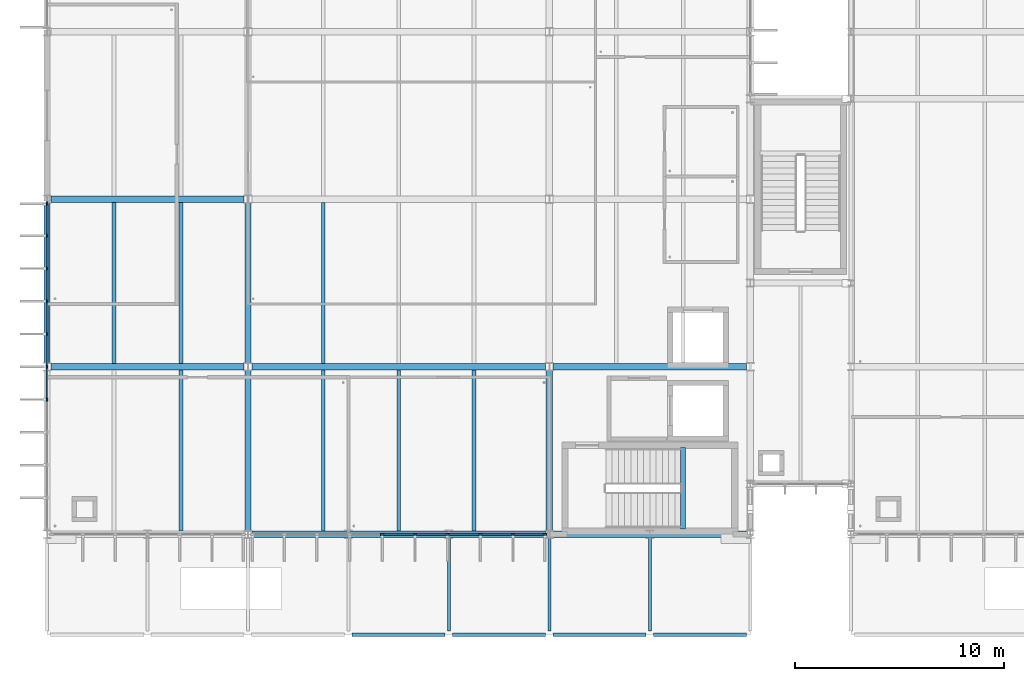
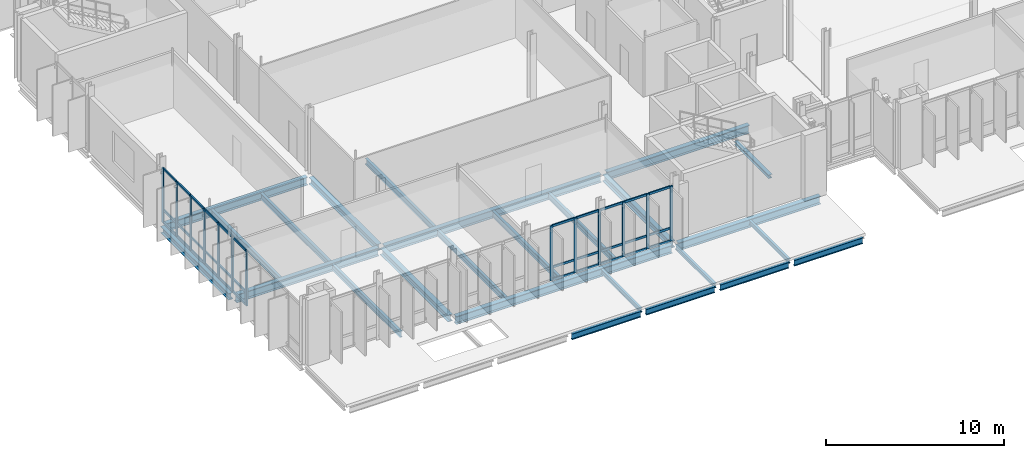
# One storey, part 17 of 107: 46 members, 25 beams, 2 elements without a shape of their own.
"""IFC4 building model written with IfcOpenShell, lengths in metres."""

from ifc_helpers import new_model, si_unit, direction, frame, origin, origin_2d, place, context, subcontext, project, spatial, rectangle, i_section, extrude, material, material_profile, profile_set, type_object, element, aggregate, save


model = new_model("IFC4")

# Units and contexts
model_context = context("Model", 3, precision=1e-05, world=origin(), true_north=direction((0.0, 1.0)))
body_context = subcontext(model_context, "Body", "Model", "MODEL_VIEW")
ifc_project = project(units=[si_unit("LENGTHUNIT", "METRE"), si_unit("AREAUNIT", "SQUARE_METRE"), si_unit("VOLUMEUNIT", "CUBIC_METRE"), si_unit("PLANEANGLEUNIT", "RADIAN"), si_unit("MASSUNIT", "GRAM", prefix="KILO")], contexts=[model_context])

# Site, building, storey
site_placement = place(None, origin())
site = spatial("IfcSite", under=ifc_project, at=site_placement, CompositionType="ELEMENT")
building_placement = place(site_placement, origin())
building = spatial("IfcBuilding", under=site, at=building_placement, Name="Dunescarp Central Library", CompositionType="ELEMENT")
storey_placement = place(building_placement, frame((0.0, 0.0, 5.10009765625)))
storey = spatial("IfcBuildingStorey", under=building, at=storey_placement, Name="L01", CompositionType="ELEMENT", Elevation=5.10009765625)

# Curtain wall, members
ifc_material_1 = material(Name="Marine-grade anodised aluminium 6063-T6", Category="aluminium")
curtain_wall_type = type_object("IfcCurtainWallType", Name="ARC-CW-STICK", PredefinedType="NOTDEFINED", material=ifc_material_1)
curtain_wall_1_placement = place(storey_placement, origin())
curtain_wall_1 = element("IfcCurtainWall", 1, at=curtain_wall_1_placement, inside=storey, type_object=curtain_wall_type, Name="L01 curtain wall CW-V1-007", PredefinedType="NOTDEFINED")
ifc_material_profile_1 = material_profile(ifc_material_1, rectangle(XDim=0.080078125, YDim=0.179931640625, at=origin_2d()), Name="AL 80x180")
ifc_profile_set_1 = profile_set([ifc_material_profile_1], Name="Marine-grade anodised aluminium 6063-T6")
member_type_1 = type_object("IfcMemberType", Name="ARC-CWM-180", PredefinedType="MULLION", material=ifc_profile_set_1)
member_1_placement = place(storey_placement, frame((23.784912109375, 4.800048828125, 0.0), z_axis=(0.0, 0.0, 1.0), x_axis=(0.0, -1.0, 0.0)))
member_1 = element("IfcMember", 2, at=member_1_placement, type_object=member_type_1, Name="CW-V1-007 mullion 1", PredefinedType="MULLION", context=body_context, shape_type="SweptSolid", body=[
    extrude(rectangle(XDim=0.080078125, YDim=0.179931640625, at=origin_2d()), origin(), (0.0, 0.0, 1.0), 3.764892578125),
])
member_2_placement = place(storey_placement, frame((22.263916015625, 4.800048828125, 0.0), z_axis=(0.0, 0.0, 1.0), x_axis=(0.0, -1.0, 0.0)))
member_2 = element("IfcMember", 3, at=member_2_placement, type_object=member_type_1, Name="CW-V1-007 mullion 2", PredefinedType="MULLION", context=body_context, shape_type="SweptSolid", body=[
    extrude(rectangle(XDim=0.080078125, YDim=0.179931640625, at=origin_2d()), origin(), (0.0, 0.0, 1.0), 3.764892578125),
])
member_3_placement = place(storey_placement, frame((20.702880859375, 4.800048828125, 0.0), z_axis=(0.0, 0.0, 1.0), x_axis=(0.0, -1.0, 0.0)))
member_3 = element("IfcMember", 4, at=member_3_placement, type_object=member_type_1, Name="CW-V1-007 mullion 3", PredefinedType="MULLION", context=body_context, shape_type="SweptSolid", body=[
    extrude(rectangle(XDim=0.080078125, YDim=0.179931640625, at=origin_2d()), origin(), (0.0, 0.0, 1.0), 3.764892578125),
])
member_4_placement = place(storey_placement, frame((19.1416015625, 4.800048828125, 0.0), z_axis=(0.0, 0.0, 1.0), x_axis=(0.0, -1.0, 0.0)))
member_4 = element("IfcMember", 5, at=member_4_placement, type_object=member_type_1, Name="CW-V1-007 mullion 4", PredefinedType="MULLION", context=body_context, shape_type="SweptSolid", body=[
    extrude(rectangle(XDim=0.080078125, YDim=0.179931640625, at=origin_2d()), origin(), (0.0, 0.0, 1.0), 3.764892578125),
])
member_5_placement = place(storey_placement, frame((17.58056640625, 4.800048828125, 0.0), z_axis=(0.0, 0.0, 1.0), x_axis=(0.0, -1.0, 0.0)))
member_5 = element("IfcMember", 6, at=member_5_placement, type_object=member_type_1, Name="CW-V1-007 mullion 5", PredefinedType="MULLION", context=body_context, shape_type="SweptSolid", body=[
    extrude(rectangle(XDim=0.080078125, YDim=0.179931640625, at=origin_2d()), origin(), (0.0, 0.0, 1.0), 3.764892578125),
])
member_6_placement = place(storey_placement, frame((16.01953125, 4.800048828125, 0.0), z_axis=(0.0, 0.0, 1.0), x_axis=(0.0, -1.0, 0.0)))
member_6 = element("IfcMember", 7, at=member_6_placement, type_object=member_type_1, Name="CW-V1-007 mullion 6", PredefinedType="MULLION", context=body_context, shape_type="SweptSolid", body=[
    extrude(rectangle(XDim=0.080078125, YDim=0.179931640625, at=origin_2d()), origin(), (0.0, 0.0, 1.0), 3.764892578125),
])

curtain_wall_2_placement = place(storey_placement, origin())
curtain_wall_2 = element("IfcCurtainWall", 8, at=curtain_wall_2_placement, inside=storey, type_object=curtain_wall_type, Name="L01 curtain wall CW-V1-009", PredefinedType="NOTDEFINED")
member_7_placement = place(storey_placement, frame((0.0, 11.235107421875, 0.0), z_axis=(0.0, 0.0, 1.0), x_axis=(-1.0, 0.0, 0.0)))
member_7 = element("IfcMember", 9, at=member_7_placement, type_object=member_type_1, Name="CW-V1-009 mullion 5", PredefinedType="MULLION", context=body_context, shape_type="SweptSolid", body=[
    extrude(rectangle(XDim=0.080078125, YDim=0.179931640625, at=origin_2d()), origin(), (0.0, 0.0, 1.0), 3.764892578125),
])
member_8_placement = place(storey_placement, frame((0.0, 12.800048828125, 0.0), z_axis=(0.0, 0.0, 1.0), x_axis=(-1.0, 0.0, 0.0)))
member_8 = element("IfcMember", 10, at=member_8_placement, type_object=member_type_1, Name="CW-V1-009 mullion 6", PredefinedType="MULLION", context=body_context, shape_type="SweptSolid", body=[
    extrude(rectangle(XDim=0.080078125, YDim=0.179931640625, at=origin_2d()), origin(), (0.0, 0.0, 1.0), 3.764892578125),
])
member_9_placement = place(storey_placement, frame((0.0, 14.364990234375, 0.0), z_axis=(0.0, 0.0, 1.0), x_axis=(-1.0, 0.0, 0.0)))
member_9 = element("IfcMember", 11, at=member_9_placement, type_object=member_type_1, Name="CW-V1-009 mullion 7", PredefinedType="MULLION", context=body_context, shape_type="SweptSolid", body=[
    extrude(rectangle(XDim=0.080078125, YDim=0.179931640625, at=origin_2d()), origin(), (0.0, 0.0, 1.0), 3.764892578125),
])
member_10_placement = place(storey_placement, frame((0.0, 15.929931640625, 0.0), z_axis=(0.0, 0.0, 1.0), x_axis=(-1.0, 0.0, 0.0)))
member_10 = element("IfcMember", 12, at=member_10_placement, type_object=member_type_1, Name="CW-V1-009 mullion 8", PredefinedType="MULLION", context=body_context, shape_type="SweptSolid", body=[
    extrude(rectangle(XDim=0.080078125, YDim=0.179931640625, at=origin_2d()), origin(), (0.0, 0.0, 1.0), 3.764892578125),
])
member_11_placement = place(storey_placement, frame((0.0, 17.4951171875, 0.0), z_axis=(0.0, 0.0, 1.0), x_axis=(-1.0, 0.0, 0.0)))
member_11 = element("IfcMember", 13, at=member_11_placement, type_object=member_type_1, Name="CW-V1-009 mullion 9", PredefinedType="MULLION", context=body_context, shape_type="SweptSolid", body=[
    extrude(rectangle(XDim=0.080078125, YDim=0.179931640625, at=origin_2d()), origin(), (0.0, 0.0, 1.0), 3.764892578125),
])
member_12_placement = place(storey_placement, frame((0.0, 19.06005859375, 0.0), z_axis=(0.0, 0.0, 1.0), x_axis=(-1.0, 0.0, 0.0)))
member_12 = element("IfcMember", 14, at=member_12_placement, type_object=member_type_1, Name="CW-V1-009 mullion 10", PredefinedType="MULLION", context=body_context, shape_type="SweptSolid", body=[
    extrude(rectangle(XDim=0.080078125, YDim=0.179931640625, at=origin_2d()), origin(), (0.0, 0.0, 1.0), 3.764892578125),
])
member_13_placement = place(storey_placement, frame((0.0, 20.5849609375, 0.0), z_axis=(0.0, 0.0, 1.0), x_axis=(-1.0, 0.0, 0.0)))
member_13 = element("IfcMember", 15, at=member_13_placement, type_object=member_type_1, Name="CW-V1-009 mullion 11", PredefinedType="MULLION", context=body_context, shape_type="SweptSolid", body=[
    extrude(rectangle(XDim=0.080078125, YDim=0.179931640625, at=origin_2d()), origin(), (0.0, 0.0, 1.0), 3.764892578125),
])

# Member
ifc_material_profile_2 = material_profile(ifc_material_1, rectangle(XDim=0.080078125, YDim=0.14990234375, at=origin_2d()), Name="AL 80x150")
ifc_profile_set_2 = profile_set([ifc_material_profile_2], Name="Marine-grade anodised aluminium 6063-T6")
member_type_2 = type_object("IfcMemberType", Name="ARC-CWT-150", PredefinedType="USERDEFINED", material=ifc_profile_set_2)
member_14_placement = place(storey_placement, frame((23.7451171875, 4.800048828125, 0.039794921875), z_axis=(-1.0, 0.0, 0.0), x_axis=(0.0, -1.0, 0.0)))
member_14 = element("IfcMember", 16, at=member_14_placement, type_object=member_type_2, Name="CW-V1-007 transom 1.1", ObjectType="TRANSOM", PredefinedType="USERDEFINED", context=body_context, shape_type="SweptSolid", body=[
    extrude(rectangle(XDim=0.080078125, YDim=0.14990234375, at=origin_2d()), origin(), (0.0, 0.0, 1.0), 1.441162109375),
])

member_15_placement = place(storey_placement, frame((23.7451171875, 4.800048828125, 0.89990234375), z_axis=(-1.0, 0.0, 0.0), x_axis=(0.0, -1.0, 0.0)))
member_15 = element("IfcMember", 17, at=member_15_placement, type_object=member_type_2, Name="CW-V1-007 transom 1.2", ObjectType="TRANSOM", PredefinedType="USERDEFINED", context=body_context, shape_type="SweptSolid", body=[
    extrude(rectangle(XDim=0.080078125, YDim=0.14990234375, at=origin_2d()), origin(), (0.0, 0.0, 1.0), 1.441162109375),
])

member_16_placement = place(storey_placement, frame((23.7451171875, 4.800048828125, 3.724853515625), z_axis=(-1.0, 0.0, 0.0), x_axis=(0.0, -1.0, 0.0)))
member_16 = element("IfcMember", 18, at=member_16_placement, type_object=member_type_2, Name="CW-V1-007 transom 1.3", ObjectType="TRANSOM", PredefinedType="USERDEFINED", context=body_context, shape_type="SweptSolid", body=[
    extrude(rectangle(XDim=0.080078125, YDim=0.14990234375, at=origin_2d()), origin(), (0.0, 0.0, 1.0), 1.441162109375),
])

member_17_placement = place(storey_placement, frame((22.223876953125, 4.800048828125, 0.039794921875), z_axis=(-1.0, 0.0, 0.0), x_axis=(0.0, -1.0, 0.0)))
member_17 = element("IfcMember", 19, at=member_17_placement, type_object=member_type_2, Name="CW-V1-007 transom 2.1", ObjectType="TRANSOM", PredefinedType="USERDEFINED", context=body_context, shape_type="SweptSolid", body=[
    extrude(rectangle(XDim=0.080078125, YDim=0.14990234375, at=origin_2d()), origin(), (0.0, 0.0, 1.0), 1.481201171875),
])

member_18_placement = place(storey_placement, frame((22.223876953125, 4.800048828125, 0.89990234375), z_axis=(-1.0, 0.0, 0.0), x_axis=(0.0, -1.0, 0.0)))
member_18 = element("IfcMember", 20, at=member_18_placement, type_object=member_type_2, Name="CW-V1-007 transom 2.2", ObjectType="TRANSOM", PredefinedType="USERDEFINED", context=body_context, shape_type="SweptSolid", body=[
    extrude(rectangle(XDim=0.080078125, YDim=0.14990234375, at=origin_2d()), origin(), (0.0, 0.0, 1.0), 1.481201171875),
])

member_19_placement = place(storey_placement, frame((22.223876953125, 4.800048828125, 3.724853515625), z_axis=(-1.0, 0.0, 0.0), x_axis=(0.0, -1.0, 0.0)))
member_19 = element("IfcMember", 21, at=member_19_placement, type_object=member_type_2, Name="CW-V1-007 transom 2.3", ObjectType="TRANSOM", PredefinedType="USERDEFINED", context=body_context, shape_type="SweptSolid", body=[
    extrude(rectangle(XDim=0.080078125, YDim=0.14990234375, at=origin_2d()), origin(), (0.0, 0.0, 1.0), 1.481201171875),
])

member_20_placement = place(storey_placement, frame((20.662841796875, 4.800048828125, 0.039794921875), z_axis=(-1.0, 0.0, 0.0), x_axis=(0.0, -1.0, 0.0)))
member_20 = element("IfcMember", 22, at=member_20_placement, type_object=member_type_2, Name="CW-V1-007 transom 3.1", ObjectType="TRANSOM", PredefinedType="USERDEFINED", context=body_context, shape_type="SweptSolid", body=[
    extrude(rectangle(XDim=0.080078125, YDim=0.14990234375, at=origin_2d()), origin(), (0.0, 0.0, 1.0), 1.481201171875),
])

member_21_placement = place(storey_placement, frame((20.662841796875, 4.800048828125, 0.89990234375), z_axis=(-1.0, 0.0, 0.0), x_axis=(0.0, -1.0, 0.0)))
member_21 = element("IfcMember", 23, at=member_21_placement, type_object=member_type_2, Name="CW-V1-007 transom 3.2", ObjectType="TRANSOM", PredefinedType="USERDEFINED", context=body_context, shape_type="SweptSolid", body=[
    extrude(rectangle(XDim=0.080078125, YDim=0.14990234375, at=origin_2d()), origin(), (0.0, 0.0, 1.0), 1.481201171875),
])

member_22_placement = place(storey_placement, frame((20.662841796875, 4.800048828125, 3.724853515625), z_axis=(-1.0, 0.0, 0.0), x_axis=(0.0, -1.0, 0.0)))
member_22 = element("IfcMember", 24, at=member_22_placement, type_object=member_type_2, Name="CW-V1-007 transom 3.3", ObjectType="TRANSOM", PredefinedType="USERDEFINED", context=body_context, shape_type="SweptSolid", body=[
    extrude(rectangle(XDim=0.080078125, YDim=0.14990234375, at=origin_2d()), origin(), (0.0, 0.0, 1.0), 1.481201171875),
])

member_23_placement = place(storey_placement, frame((19.1015625, 4.800048828125, 0.039794921875), z_axis=(-1.0, 0.0, 0.0), x_axis=(0.0, -1.0, 0.0)))
member_23 = element("IfcMember", 25, at=member_23_placement, type_object=member_type_2, Name="CW-V1-007 transom 4.1", ObjectType="TRANSOM", PredefinedType="USERDEFINED", context=body_context, shape_type="SweptSolid", body=[
    extrude(rectangle(XDim=0.080078125, YDim=0.14990234375, at=origin_2d()), origin(), (0.0, 0.0, 1.0), 1.48095703125),
])

member_24_placement = place(storey_placement, frame((19.1015625, 4.800048828125, 0.89990234375), z_axis=(-1.0, 0.0, 0.0), x_axis=(0.0, -1.0, 0.0)))
member_24 = element("IfcMember", 26, at=member_24_placement, type_object=member_type_2, Name="CW-V1-007 transom 4.2", ObjectType="TRANSOM", PredefinedType="USERDEFINED", context=body_context, shape_type="SweptSolid", body=[
    extrude(rectangle(XDim=0.080078125, YDim=0.14990234375, at=origin_2d()), origin(), (0.0, 0.0, 1.0), 1.48095703125),
])

member_25_placement = place(storey_placement, frame((19.1015625, 4.800048828125, 3.724853515625), z_axis=(-1.0, 0.0, 0.0), x_axis=(0.0, -1.0, 0.0)))
member_25 = element("IfcMember", 27, at=member_25_placement, type_object=member_type_2, Name="CW-V1-007 transom 4.3", ObjectType="TRANSOM", PredefinedType="USERDEFINED", context=body_context, shape_type="SweptSolid", body=[
    extrude(rectangle(XDim=0.080078125, YDim=0.14990234375, at=origin_2d()), origin(), (0.0, 0.0, 1.0), 1.48095703125),
])

member_26_placement = place(storey_placement, frame((17.54052734375, 4.800048828125, 0.039794921875), z_axis=(-1.0, 0.0, 0.0), x_axis=(0.0, -1.0, 0.0)))
member_26 = element("IfcMember", 28, at=member_26_placement, type_object=member_type_2, Name="CW-V1-007 transom 5.1", ObjectType="TRANSOM", PredefinedType="USERDEFINED", context=body_context, shape_type="SweptSolid", body=[
    extrude(rectangle(XDim=0.080078125, YDim=0.14990234375, at=origin_2d()), origin(), (0.0, 0.0, 1.0), 1.481201171875),
])

member_27_placement = place(storey_placement, frame((17.54052734375, 4.800048828125, 0.89990234375), z_axis=(-1.0, 0.0, 0.0), x_axis=(0.0, -1.0, 0.0)))
member_27 = element("IfcMember", 29, at=member_27_placement, type_object=member_type_2, Name="CW-V1-007 transom 5.2", ObjectType="TRANSOM", PredefinedType="USERDEFINED", context=body_context, shape_type="SweptSolid", body=[
    extrude(rectangle(XDim=0.080078125, YDim=0.14990234375, at=origin_2d()), origin(), (0.0, 0.0, 1.0), 1.481201171875),
])

member_28_placement = place(storey_placement, frame((17.54052734375, 4.800048828125, 3.724853515625), z_axis=(-1.0, 0.0, 0.0), x_axis=(0.0, -1.0, 0.0)))
member_28 = element("IfcMember", 30, at=member_28_placement, type_object=member_type_2, Name="CW-V1-007 transom 5.3", ObjectType="TRANSOM", PredefinedType="USERDEFINED", context=body_context, shape_type="SweptSolid", body=[
    extrude(rectangle(XDim=0.080078125, YDim=0.14990234375, at=origin_2d()), origin(), (0.0, 0.0, 1.0), 1.481201171875),
])

aggregate(curtain_wall_1, [member_1, member_2, member_3, member_4, member_5, member_6, member_14, member_15, member_16, member_17, member_18, member_19, member_20, member_21, member_22, member_23, member_24, member_25, member_26, member_27, member_28])

member_29_placement = place(storey_placement, frame((0.0, 11.27490234375, 0.039794921875), z_axis=(0.0, 1.0, 0.0), x_axis=(-1.0, 0.0, 0.0)))
member_29 = element("IfcMember", 31, at=member_29_placement, type_object=member_type_2, Name="CW-V1-009 transom 5.1", ObjectType="TRANSOM", PredefinedType="USERDEFINED", context=body_context, shape_type="SweptSolid", body=[
    extrude(rectangle(XDim=0.080078125, YDim=0.14990234375, at=origin_2d()), origin(), (0.0, 0.0, 1.0), 1.485107421875),
])

member_30_placement = place(storey_placement, frame((0.0, 11.27490234375, 0.89990234375), z_axis=(0.0, 1.0, 0.0), x_axis=(-1.0, 0.0, 0.0)))
member_30 = element("IfcMember", 32, at=member_30_placement, type_object=member_type_2, Name="CW-V1-009 transom 5.2", ObjectType="TRANSOM", PredefinedType="USERDEFINED", context=body_context, shape_type="SweptSolid", body=[
    extrude(rectangle(XDim=0.080078125, YDim=0.14990234375, at=origin_2d()), origin(), (0.0, 0.0, 1.0), 1.485107421875),
])

member_31_placement = place(storey_placement, frame((0.0, 11.27490234375, 3.724853515625), z_axis=(0.0, 1.0, 0.0), x_axis=(-1.0, 0.0, 0.0)))
member_31 = element("IfcMember", 33, at=member_31_placement, type_object=member_type_2, Name="CW-V1-009 transom 5.3", ObjectType="TRANSOM", PredefinedType="USERDEFINED", context=body_context, shape_type="SweptSolid", body=[
    extrude(rectangle(XDim=0.080078125, YDim=0.14990234375, at=origin_2d()), origin(), (0.0, 0.0, 1.0), 1.485107421875),
])

member_32_placement = place(storey_placement, frame((0.0, 12.840087890625, 0.039794921875), z_axis=(0.0, 1.0, 0.0), x_axis=(-1.0, 0.0, 0.0)))
member_32 = element("IfcMember", 34, at=member_32_placement, type_object=member_type_2, Name="CW-V1-009 transom 6.1", ObjectType="TRANSOM", PredefinedType="USERDEFINED", context=body_context, shape_type="SweptSolid", body=[
    extrude(rectangle(XDim=0.080078125, YDim=0.14990234375, at=origin_2d()), origin(), (0.0, 0.0, 1.0), 1.48486328125),
])

member_33_placement = place(storey_placement, frame((0.0, 12.840087890625, 0.89990234375), z_axis=(0.0, 1.0, 0.0), x_axis=(-1.0, 0.0, 0.0)))
member_33 = element("IfcMember", 35, at=member_33_placement, type_object=member_type_2, Name="CW-V1-009 transom 6.2", ObjectType="TRANSOM", PredefinedType="USERDEFINED", context=body_context, shape_type="SweptSolid", body=[
    extrude(rectangle(XDim=0.080078125, YDim=0.14990234375, at=origin_2d()), origin(), (0.0, 0.0, 1.0), 1.48486328125),
])

member_34_placement = place(storey_placement, frame((0.0, 12.840087890625, 3.724853515625), z_axis=(0.0, 1.0, 0.0), x_axis=(-1.0, 0.0, 0.0)))
member_34 = element("IfcMember", 36, at=member_34_placement, type_object=member_type_2, Name="CW-V1-009 transom 6.3", ObjectType="TRANSOM", PredefinedType="USERDEFINED", context=body_context, shape_type="SweptSolid", body=[
    extrude(rectangle(XDim=0.080078125, YDim=0.14990234375, at=origin_2d()), origin(), (0.0, 0.0, 1.0), 1.48486328125),
])

member_35_placement = place(storey_placement, frame((0.0, 14.405029296875, 0.039794921875), z_axis=(0.0, 1.0, 0.0), x_axis=(-1.0, 0.0, 0.0)))
member_35 = element("IfcMember", 37, at=member_35_placement, type_object=member_type_2, Name="CW-V1-009 transom 7.1", ObjectType="TRANSOM", PredefinedType="USERDEFINED", context=body_context, shape_type="SweptSolid", body=[
    extrude(rectangle(XDim=0.080078125, YDim=0.14990234375, at=origin_2d()), origin(), (0.0, 0.0, 1.0), 1.48486328125),
])

member_36_placement = place(storey_placement, frame((0.0, 14.405029296875, 0.89990234375), z_axis=(0.0, 1.0, 0.0), x_axis=(-1.0, 0.0, 0.0)))
member_36 = element("IfcMember", 38, at=member_36_placement, type_object=member_type_2, Name="CW-V1-009 transom 7.2", ObjectType="TRANSOM", PredefinedType="USERDEFINED", context=body_context, shape_type="SweptSolid", body=[
    extrude(rectangle(XDim=0.080078125, YDim=0.14990234375, at=origin_2d()), origin(), (0.0, 0.0, 1.0), 1.48486328125),
])

member_37_placement = place(storey_placement, frame((0.0, 14.405029296875, 3.724853515625), z_axis=(0.0, 1.0, 0.0), x_axis=(-1.0, 0.0, 0.0)))
member_37 = element("IfcMember", 39, at=member_37_placement, type_object=member_type_2, Name="CW-V1-009 transom 7.3", ObjectType="TRANSOM", PredefinedType="USERDEFINED", context=body_context, shape_type="SweptSolid", body=[
    extrude(rectangle(XDim=0.080078125, YDim=0.14990234375, at=origin_2d()), origin(), (0.0, 0.0, 1.0), 1.48486328125),
])

member_38_placement = place(storey_placement, frame((0.0, 15.969970703125, 0.039794921875), z_axis=(0.0, 1.0, 0.0), x_axis=(-1.0, 0.0, 0.0)))
member_38 = element("IfcMember", 40, at=member_38_placement, type_object=member_type_2, Name="CW-V1-009 transom 8.1", ObjectType="TRANSOM", PredefinedType="USERDEFINED", context=body_context, shape_type="SweptSolid", body=[
    extrude(rectangle(XDim=0.080078125, YDim=0.14990234375, at=origin_2d()), origin(), (0.0, 0.0, 1.0), 1.485107421875),
])

member_39_placement = place(storey_placement, frame((0.0, 15.969970703125, 0.89990234375), z_axis=(0.0, 1.0, 0.0), x_axis=(-1.0, 0.0, 0.0)))
member_39 = element("IfcMember", 41, at=member_39_placement, type_object=member_type_2, Name="CW-V1-009 transom 8.2", ObjectType="TRANSOM", PredefinedType="USERDEFINED", context=body_context, shape_type="SweptSolid", body=[
    extrude(rectangle(XDim=0.080078125, YDim=0.14990234375, at=origin_2d()), origin(), (0.0, 0.0, 1.0), 1.485107421875),
])

member_40_placement = place(storey_placement, frame((0.0, 15.969970703125, 3.724853515625), z_axis=(0.0, 1.0, 0.0), x_axis=(-1.0, 0.0, 0.0)))
member_40 = element("IfcMember", 42, at=member_40_placement, type_object=member_type_2, Name="CW-V1-009 transom 8.3", ObjectType="TRANSOM", PredefinedType="USERDEFINED", context=body_context, shape_type="SweptSolid", body=[
    extrude(rectangle(XDim=0.080078125, YDim=0.14990234375, at=origin_2d()), origin(), (0.0, 0.0, 1.0), 1.485107421875),
])

member_41_placement = place(storey_placement, frame((0.0, 17.534912109375, 0.039794921875), z_axis=(0.0, 1.0, 0.0), x_axis=(-1.0, 0.0, 0.0)))
member_41 = element("IfcMember", 43, at=member_41_placement, type_object=member_type_2, Name="CW-V1-009 transom 9.1", ObjectType="TRANSOM", PredefinedType="USERDEFINED", context=body_context, shape_type="SweptSolid", body=[
    extrude(rectangle(XDim=0.080078125, YDim=0.14990234375, at=origin_2d()), origin(), (0.0, 0.0, 1.0), 1.485107421875),
])

member_42_placement = place(storey_placement, frame((0.0, 17.534912109375, 0.89990234375), z_axis=(0.0, 1.0, 0.0), x_axis=(-1.0, 0.0, 0.0)))
member_42 = element("IfcMember", 44, at=member_42_placement, type_object=member_type_2, Name="CW-V1-009 transom 9.2", ObjectType="TRANSOM", PredefinedType="USERDEFINED", context=body_context, shape_type="SweptSolid", body=[
    extrude(rectangle(XDim=0.080078125, YDim=0.14990234375, at=origin_2d()), origin(), (0.0, 0.0, 1.0), 1.485107421875),
])

member_43_placement = place(storey_placement, frame((0.0, 17.534912109375, 3.724853515625), z_axis=(0.0, 1.0, 0.0), x_axis=(-1.0, 0.0, 0.0)))
member_43 = element("IfcMember", 45, at=member_43_placement, type_object=member_type_2, Name="CW-V1-009 transom 9.3", ObjectType="TRANSOM", PredefinedType="USERDEFINED", context=body_context, shape_type="SweptSolid", body=[
    extrude(rectangle(XDim=0.080078125, YDim=0.14990234375, at=origin_2d()), origin(), (0.0, 0.0, 1.0), 1.485107421875),
])

member_44_placement = place(storey_placement, frame((0.0, 19.10009765625, 0.039794921875), z_axis=(0.0, 1.0, 0.0), x_axis=(-1.0, 0.0, 0.0)))
member_44 = element("IfcMember", 46, at=member_44_placement, type_object=member_type_2, Name="CW-V1-009 transom 10.1", ObjectType="TRANSOM", PredefinedType="USERDEFINED", context=body_context, shape_type="SweptSolid", body=[
    extrude(rectangle(XDim=0.080078125, YDim=0.14990234375, at=origin_2d()), origin(), (0.0, 0.0, 1.0), 1.44482421875),
])

member_45_placement = place(storey_placement, frame((0.0, 19.10009765625, 0.89990234375), z_axis=(0.0, 1.0, 0.0), x_axis=(-1.0, 0.0, 0.0)))
member_45 = element("IfcMember", 47, at=member_45_placement, type_object=member_type_2, Name="CW-V1-009 transom 10.2", ObjectType="TRANSOM", PredefinedType="USERDEFINED", context=body_context, shape_type="SweptSolid", body=[
    extrude(rectangle(XDim=0.080078125, YDim=0.14990234375, at=origin_2d()), origin(), (0.0, 0.0, 1.0), 1.44482421875),
])

member_46_placement = place(storey_placement, frame((0.0, 19.10009765625, 3.724853515625), z_axis=(0.0, 1.0, 0.0), x_axis=(-1.0, 0.0, 0.0)))
member_46 = element("IfcMember", 48, at=member_46_placement, type_object=member_type_2, Name="CW-V1-009 transom 10.3", ObjectType="TRANSOM", PredefinedType="USERDEFINED", context=body_context, shape_type="SweptSolid", body=[
    extrude(rectangle(XDim=0.080078125, YDim=0.14990234375, at=origin_2d()), origin(), (0.0, 0.0, 1.0), 1.44482421875),
])

aggregate(curtain_wall_2, [member_7, member_8, member_9, member_10, member_11, member_12, member_13, member_29, member_30, member_31, member_32, member_33, member_34, member_35, member_36, member_37, member_38, member_39, member_40, member_41, member_42, member_43, member_44, member_45, member_46])

# Beams
ifc_material_2 = material(Name="Steel S355JR", Category="steel")
ifc_material_profile_3 = material_profile(ifc_material_2, i_section(OverallWidth=0.300048828125, OverallDepth=0.449951171875, WebThickness=0.013916015625, FlangeThickness=0.02587890625, at=origin_2d()), Name="HEB 450")
ifc_profile_set_3 = profile_set([ifc_material_profile_3], Name="Steel S355JR")
beam_type_1 = type_object("IfcBeamType", Name="STR-BM-HEB450", PredefinedType="BEAM", material=ifc_profile_set_3)
beam_1_placement = place(storey_placement, frame((9.60009765625, 4.988037109375, -0.445068359375), z_axis=(0.0, 1.0, 0.0), x_axis=(-1.0, 0.0, 0.0)))
element("IfcBeam", 49, at=beam_1_placement, inside=storey, type_object=beam_type_1, Name="L01 girder BM-L01-0004", PredefinedType="BEAM", context=body_context, shape_type="SweptSolid", body=[
    extrude(i_section(OverallWidth=0.300048828125, OverallDepth=0.449951171875, WebThickness=0.013916015625, FlangeThickness=0.02587890625, at=origin_2d()), origin(), (0.0, 0.0, 1.0), 7.6279296875),
])
for number, where, z_axis, x_axis, name in (
    (50, (0.0, 12.98388671875, -0.445068359375), (0.0, 1.0, 0.0), (-1.0, 0.0, 0.0), "L01 girder BM-L01-0008"),
    (51, (9.60009765625, 12.98388671875, -0.445068359375), (0.0, 1.0, 0.0), (-1.0, 0.0, 0.0), "L01 girder BM-L01-0009"),
):
    element("IfcBeam", number, at=place(storey_placement, frame(where, z_axis=z_axis, x_axis=x_axis)), inside=storey, type_object=beam_type_1, Name=name, PredefinedType="BEAM", context=body_context, shape_type="SweptSolid", body=[
        extrude(i_section(OverallWidth=0.300048828125, OverallDepth=0.449951171875, WebThickness=0.013916015625, FlangeThickness=0.02587890625, at=origin_2d()), origin(), (0.0, 0.0, 1.0), 7.632080078125),
    ])
beam_2_placement = place(storey_placement, frame((24.0, 4.988037109375, -0.445068359375), z_axis=(0.0, 1.0, 0.0), x_axis=(-1.0, 0.0, 0.0)))
element("IfcBeam", 52, at=beam_2_placement, inside=storey, type_object=beam_type_1, Name="L01 girder BM-L01-0022", PredefinedType="BEAM", context=body_context, shape_type="SweptSolid", body=[
    extrude(i_section(OverallWidth=0.300048828125, OverallDepth=0.449951171875, WebThickness=0.013916015625, FlangeThickness=0.02587890625, at=origin_2d()), origin(), (0.0, 0.0, 1.0), 7.6279296875),
])
ifc_material_profile_4 = material_profile(ifc_material_2, i_section(OverallWidth=0.300048828125, OverallDepth=0.550048828125, WebThickness=0.014892578125, FlangeThickness=0.029052734375, at=origin_2d()), Name="HEB 550")
ifc_profile_set_4 = profile_set([ifc_material_profile_4], Name="Steel S355JR")
beam_type_2 = type_object("IfcBeamType", Name="STR-BM-HEB550", PredefinedType="BEAM", material=ifc_profile_set_4)
for number, where, z_axis, x_axis, name in (
    (53, (0.18408203125, 12.800048828125, -0.4951171875), (1.0, 0.0, 0.0), (0.0, 1.0, 0.0), "L01 girder BM-L01-0002"),
    (54, (0.18408203125, 20.800048828125, -0.4951171875), (1.0, 0.0, 0.0), (0.0, 1.0, 0.0), "L01 girder BM-L01-0007"),
):
    element("IfcBeam", number, at=place(storey_placement, frame(where, z_axis=z_axis, x_axis=x_axis)), inside=storey, type_object=beam_type_2, Name=name, PredefinedType="BEAM", context=body_context, shape_type="SweptSolid", body=[
        extrude(i_section(OverallWidth=0.300048828125, OverallDepth=0.550048828125, WebThickness=0.014892578125, FlangeThickness=0.029052734375, at=origin_2d()), origin(), (0.0, 0.0, 1.0), 9.23193359375),
    ])
beam_3_placement = place(storey_placement, frame((9.7939453125, 4.800048828125, -0.4951171875), z_axis=(1.0, 0.0, 0.0), x_axis=(0.0, 1.0, 0.0)))
element("IfcBeam", 55, at=beam_3_placement, inside=storey, type_object=beam_type_2, Name="L01 girder BM-L01-0020", PredefinedType="BEAM", context=body_context, shape_type="SweptSolid", body=[
    extrude(i_section(OverallWidth=0.300048828125, OverallDepth=0.550048828125, WebThickness=0.014892578125, FlangeThickness=0.029052734375, at=origin_2d()), origin(), (0.0, 0.0, 1.0), 14.011962890625),
])
beam_4_placement = place(storey_placement, frame((9.783935546875, 12.800048828125, -0.4951171875), z_axis=(1.0, 0.0, 0.0), x_axis=(0.0, 1.0, 0.0)))
element("IfcBeam", 56, at=beam_4_placement, inside=storey, type_object=beam_type_2, Name="L01 girder BM-L01-0021", PredefinedType="BEAM", context=body_context, shape_type="SweptSolid", body=[
    extrude(i_section(OverallWidth=0.300048828125, OverallDepth=0.550048828125, WebThickness=0.014892578125, FlangeThickness=0.029052734375, at=origin_2d()), origin(), (0.0, 0.0, 1.0), 14.031982421875),
])
beam_5_placement = place(storey_placement, frame((24.194091796875, 4.800048828125, -0.4951171875), z_axis=(1.0, 0.0, 0.0), x_axis=(0.0, 1.0, 0.0)))
element("IfcBeam", 57, at=beam_5_placement, inside=storey, type_object=beam_type_2, Name="L01 girder BM-L01-0041", PredefinedType="BEAM", context=body_context, shape_type="SweptSolid", body=[
    extrude(i_section(OverallWidth=0.300048828125, OverallDepth=0.550048828125, WebThickness=0.014892578125, FlangeThickness=0.029052734375, at=origin_2d()), origin(), (0.0, 0.0, 1.0), 9.2119140625),
])
beam_6_placement = place(storey_placement, frame((24.18408203125, 12.800048828125, -0.4951171875), z_axis=(1.0, 0.0, 0.0), x_axis=(0.0, 1.0, 0.0)))
element("IfcBeam", 58, at=beam_6_placement, inside=storey, type_object=beam_type_2, Name="L01 girder BM-L01-0042", PredefinedType="BEAM", context=body_context, shape_type="SweptSolid", body=[
    extrude(i_section(OverallWidth=0.300048828125, OverallDepth=0.550048828125, WebThickness=0.014892578125, FlangeThickness=0.029052734375, at=origin_2d()), origin(), (0.0, 0.0, 1.0), 9.23193359375),
])
ifc_material_profile_5 = material_profile(ifc_material_2, i_section(OverallWidth=0.239990234375, OverallDepth=0.22998046875, WebThickness=0.007568359375, FlangeThickness=0.011962890625, at=origin_2d()), Name="HEA 240")
ifc_profile_set_5 = profile_set([ifc_material_profile_5], Name="Steel S355JR")
beam_type_3 = type_object("IfcBeamType", Name="STR-JS-HEA240", PredefinedType="JOIST", material=ifc_profile_set_5)
beam_7_placement = place(storey_placement, frame((30.3798828125, 5.06005859375, 1.934814453125), z_axis=(0.0, 1.0, 0.0), x_axis=(-1.0, 0.0, 0.0)))
element("IfcBeam", 59, at=beam_7_placement, inside=storey, type_object=beam_type_3, Name="L01 ST-1 landing trimmer beam BM-ST-002", PredefinedType="BEAM", context=body_context, shape_type="SweptSolid", body=[
    extrude(i_section(OverallWidth=0.239990234375, OverallDepth=0.22998046875, WebThickness=0.007568359375, FlangeThickness=0.011962890625, at=origin_2d()), origin(), (0.0, 0.0, 1.0), 3.8798828125),
])
ifc_material_profile_6 = material_profile(ifc_material_2, i_section(OverallWidth=0.14990234375, OverallDepth=0.300048828125, WebThickness=0.007080078125, FlangeThickness=0.0107421875, at=origin_2d()), Name="IPE 300")
ifc_profile_set_6 = profile_set([ifc_material_profile_6], Name="Steel S355JR")
beam_type_4 = type_object("IfcBeamType", Name="STR-JS-IPE300", PredefinedType="JOIST", material=ifc_profile_set_6)
for number, where, z_axis, x_axis, name in (
    (60, (19.199951171875, 0.175048828125, -0.35009765625), (0.0, 1.0, 0.0), (-1.0, 0.0, 0.0), "Colonnade tie beam BM-L01-1441"),
    (61, (24.0, 0.175048828125, -0.35009765625), (0.0, 1.0, 0.0), (-1.0, 0.0, 0.0), "Colonnade tie beam BM-L01-1442"),
    (62, (28.800048828125, 0.175048828125, -0.35009765625), (0.0, 1.0, 0.0), (-1.0, 0.0, 0.0), "Colonnade tie beam BM-L01-1443"),
):
    element("IfcBeam", number, at=place(storey_placement, frame(where, z_axis=z_axis, x_axis=x_axis)), inside=storey, type_object=beam_type_4, Name=name, PredefinedType="JOIST", context=body_context, shape_type="SweptSolid", body=[
        extrude(i_section(OverallWidth=0.14990234375, OverallDepth=0.300048828125, WebThickness=0.007080078125, FlangeThickness=0.0107421875, at=origin_2d()), origin(), (0.0, 0.0, 1.0), 4.43701171875),
    ])
ifc_material_profile_7 = material_profile(ifc_material_2, i_section(OverallWidth=0.179931640625, OverallDepth=0.39990234375, WebThickness=0.008544921875, FlangeThickness=0.013427734375, at=origin_2d()), Name="IPE 400")
ifc_profile_set_7 = profile_set([ifc_material_profile_7], Name="Steel S355JR")
beam_type_5 = type_object("IfcBeamType", Name="STR-JS-IPE400", PredefinedType="JOIST", material=ifc_profile_set_7)
for number, where, z_axis, x_axis, name in (
    (63, (6.39990234375, 4.947998046875, -0.420166015625), (0.0, 1.0, 0.0), (-1.0, 0.0, 0.0), "L01 joist JS-L01-0006"),
    (64, (3.199951171875, 12.947998046875, -0.420166015625), (0.0, 1.0, 0.0), (-1.0, 0.0, 0.0), "L01 joist JS-L01-0010"),
    (65, (6.39990234375, 12.947998046875, -0.420166015625), (0.0, 1.0, 0.0), (-1.0, 0.0, 0.0), "L01 joist JS-L01-0011"),
    (66, (13.199951171875, 4.947998046875, -0.420166015625), (0.0, 1.0, 0.0), (-1.0, 0.0, 0.0), "L01 joist JS-L01-0023"),
    (67, (16.800048828125, 4.947998046875, -0.420166015625), (0.0, 1.0, 0.0), (-1.0, 0.0, 0.0), "L01 joist JS-L01-0024"),
    (68, (20.39990234375, 4.947998046875, -0.420166015625), (0.0, 1.0, 0.0), (-1.0, 0.0, 0.0), "L01 joist JS-L01-0025"),
    (69, (13.199951171875, 12.947998046875, -0.420166015625), (0.0, 1.0, 0.0), (-1.0, 0.0, 0.0), "L01 joist JS-L01-0028"),
):
    element("IfcBeam", number, at=place(storey_placement, frame(where, z_axis=z_axis, x_axis=x_axis)), inside=storey, type_object=beam_type_5, Name=name, PredefinedType="JOIST", context=body_context, shape_type="SweptSolid", body=[
        extrude(i_section(OverallWidth=0.179931640625, OverallDepth=0.39990234375, WebThickness=0.008544921875, FlangeThickness=0.013427734375, at=origin_2d()), origin(), (0.0, 0.0, 1.0), 7.7041015625),
    ])
ifc_material_profile_8 = material_profile(ifc_material_2, i_section(OverallWidth=0.177978515625, OverallDepth=0.406494140625, WebThickness=0.0078125, FlangeThickness=0.0126953125, at=origin_2d()), Name="UB 406x178x60")
ifc_profile_set_8 = profile_set([ifc_material_profile_8], Name="Steel S355JR")
beam_type_6 = type_object("IfcBeamType", Name="STR-SP-UB406", PredefinedType="SPANDREL", material=ifc_profile_set_8)
for number, where, z_axis, x_axis, name in (
    (70, (14.574951171875, 0.0, -0.403076171875), (1.0, 0.0, 0.0), (0.0, 1.0, 0.0), "Colonnade spandrel SP-L01-1433"),
    (71, (19.375, 0.0, -0.403076171875), (1.0, 0.0, 0.0), (0.0, 1.0, 0.0), "Colonnade spandrel SP-L01-1434"),
    (72, (24.175048828125, 0.0, -0.403076171875), (1.0, 0.0, 0.0), (0.0, 1.0, 0.0), "Colonnade spandrel SP-L01-1435"),
    (73, (28.97509765625, 0.0, -0.403076171875), (1.0, 0.0, 0.0), (0.0, 1.0, 0.0), "Colonnade spandrel SP-L01-1436"),
):
    element("IfcBeam", number, at=place(storey_placement, frame(where, z_axis=z_axis, x_axis=x_axis)), inside=storey, type_object=beam_type_6, Name=name, PredefinedType="SPANDREL", context=body_context, shape_type="SweptSolid", body=[
        extrude(i_section(OverallWidth=0.177978515625, OverallDepth=0.406494140625, WebThickness=0.0078125, FlangeThickness=0.0126953125, at=origin_2d()), origin(), (0.0, 0.0, 1.0), 4.449951171875),
    ])

save(model, "model.ifc")
